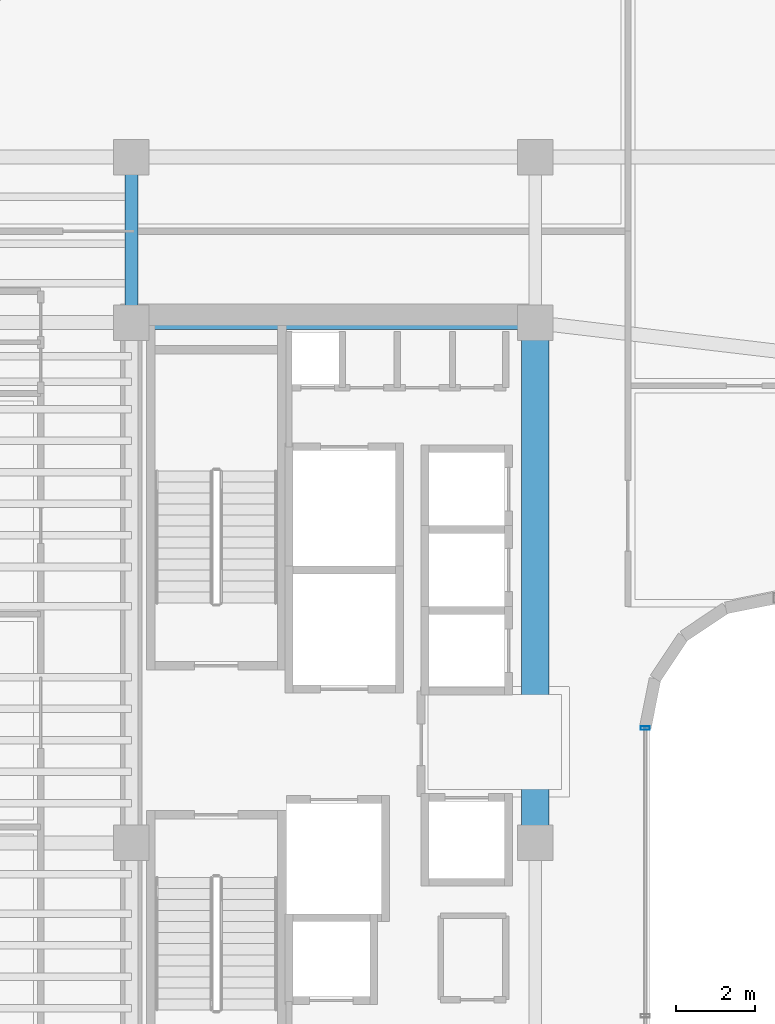
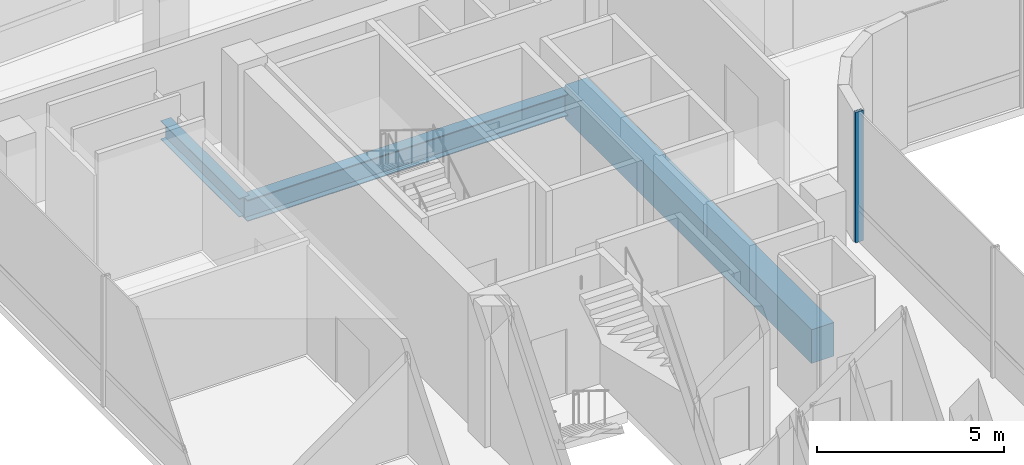
# One storey, part 7 of 17: 3 beams, 1 member, 1 element without a shape of its own.
"""IFC4 building model written with IfcOpenShell, lengths in metres."""

from ifc_helpers import new_model, si_unit, direction, frame, origin, origin_2d, place, context, subcontext, project, spatial, rectangle, hollow_rectangle, i_section, extrude, source, transform, mapped, material, material_profile, profile_set, type_object, element, aggregate, save


model = new_model("IFC4")

# Units and contexts
model_context = context("Model", 3, precision=1e-05, world=origin(), true_north=direction((0.0, 1.0)))
body_context = subcontext(model_context, "Body", "Model", "MODEL_VIEW")
ifc_project = project(units=[si_unit("LENGTHUNIT", "METRE"), si_unit("AREAUNIT", "SQUARE_METRE"), si_unit("VOLUMEUNIT", "CUBIC_METRE"), si_unit("PLANEANGLEUNIT", "RADIAN"), si_unit("MASSUNIT", "GRAM", prefix="KILO")], contexts=[model_context])

# Site, building, storey
site_placement = place(None, origin())
site = spatial("IfcSite", under=ifc_project, at=site_placement, CompositionType="ELEMENT")
building_placement = place(site_placement, origin())
building = spatial("IfcBuilding", under=site, at=building_placement, Name="Valdorenza Pilgrim Sanctuary Tower", CompositionType="ELEMENT")
storey_placement = place(building_placement, frame((0.0, 0.0, 201.0)))
storey = spatial("IfcBuildingStorey", under=building, at=storey_placement, Name="L51", CompositionType="ELEMENT", Elevation=201.0)

# Beams
ifc_material_1 = material(Name="Concrete C50/60", Category="concrete")
ifc_material_profile_1 = material_profile(ifc_material_1, rectangle(XDim=0.699951171875, YDim=1.10009765625, at=origin_2d()), Name="RC 1100x700")
ifc_profile_set_1 = profile_set([ifc_material_profile_1], Name="Concrete C50/60")
beam_type_1 = type_object("IfcBeamType", Name="STR-BM-LNT-1100", PredefinedType="LINTEL", material=ifc_profile_set_1)
shared_shape_1 = source(origin(), body_context, "Body", "SweptSolid", [
    extrude(rectangle(XDim=0.699951171875, YDim=1.10009765625, at=origin_2d()), origin(), (0.0, 0.0, 1.0), 13.2001953125),
])
beam_1_placement = place(storey_placement, frame((-12.39990234375, -2.60009765625, -0.590087890625), z_axis=(0.0, 1.0, 0.0), x_axis=(-1.0, 0.0, 0.0)))
element("IfcBeam", 1, at=beam_1_placement, inside=storey, type_object=beam_type_1, Name="L51 Core A Coupling Lintel Girder", PredefinedType="LINTEL", context=body_context, shape_type="MappedRepresentation", body=[
    mapped(shared_shape_1, transform((0.0, 0.0, 0.0), x_axis=(1.0, 0.0, 0.0), y_axis=(0.0, 1.0, 0.0), z_axis=(0.0, 0.0, 1.0), scale=1.0)),
])
ifc_material_2 = material(Name="Steel ASTM A992 Grade 50", Category="steel")
ifc_material_profile_2 = material_profile(ifc_material_2, i_section(OverallWidth=0.323974609375, OverallDepth=0.611083984375, WebThickness=0.0126953125, FlangeThickness=0.01904296875, at=origin_2d()), Name="W24X104")
ifc_profile_set_2 = profile_set([ifc_material_profile_2], Name="Steel ASTM A992 Grade 50")
beam_type_2 = type_object("IfcBeamType", Name="STR-BM-GRD-W24B", PredefinedType="BEAM", material=ifc_profile_set_2)
shared_shape_2 = source(origin(), body_context, "Body", "SweptSolid", [
    extrude(i_section(OverallWidth=0.323974609375, OverallDepth=0.611083984375, WebThickness=0.0126953125, FlangeThickness=0.01904296875, at=origin_2d()), origin(), (0.0, 0.0, 1.0), 4.199951171875),
])
beam_2_placement = place(storey_placement, frame((-22.64990234375, 10.60009765625, -0.54541015625), z_axis=(0.0, 1.0, 0.0), x_axis=(-1.0, 0.0, 0.0)))
element("IfcBeam", 2, at=beam_2_placement, inside=storey, type_object=beam_type_2, Name="L51 Core Tie Girder CA-W-N1N2", PredefinedType="BEAM", context=body_context, shape_type="MappedRepresentation", body=[
    mapped(shared_shape_2, transform((0.0, 0.0, 0.0), x_axis=(1.0, 0.0, 0.0), y_axis=(0.0, 1.0, 0.0), z_axis=(0.0, 0.0, 1.0), scale=1.0)),
])
ifc_material_profile_3 = material_profile(ifc_material_2, i_section(OverallWidth=0.35595703125, OverallDepth=0.700927734375, WebThickness=0.016845703125, FlangeThickness=0.02734375, at=origin_2d()), Name="W27X161")
ifc_profile_set_3 = profile_set([ifc_material_profile_3], Name="Steel ASTM A992 Grade 50")
beam_type_3 = type_object("IfcBeamType", Name="STR-BM-GRD-W27", PredefinedType="BEAM", material=ifc_profile_set_3)
shared_shape_3 = source(origin(), body_context, "Body", "SweptSolid", [
    extrude(i_section(OverallWidth=0.35595703125, OverallDepth=0.700927734375, WebThickness=0.016845703125, FlangeThickness=0.02734375, at=origin_2d()), origin(), (0.0, 0.0, 1.0), 10.25),
])
beam_3_placement = place(storey_placement, frame((-22.64990234375, 10.60009765625, -0.590576171875), z_axis=(1.0, 0.0, 0.0), x_axis=(0.0, 1.0, 0.0)))
element("IfcBeam", 3, at=beam_3_placement, inside=storey, type_object=beam_type_3, Name="L51 Floor Girder CA-XC-N1", PredefinedType="BEAM", context=body_context, shape_type="MappedRepresentation", body=[
    mapped(shared_shape_3, transform((0.0, 0.0, 0.0), x_axis=(1.0, 0.0, 0.0), y_axis=(0.0, 1.0, 0.0), z_axis=(0.0, 0.0, 1.0), scale=1.0)),
])

# Curtain wall, member
ifc_material_3 = material(Name="Curtain-wall IGU glazing", Category="glass")
curtain_wall_type = type_object("IfcCurtainWallType", Name="CW-SYS-04", PredefinedType="NOTDEFINED", material=ifc_material_3)
curtain_wall_placement = place(storey_placement, origin())
curtain_wall = element("IfcCurtainWall", 4, at=curtain_wall_placement, inside=storey, type_object=curtain_wall_type, Name="L51 Curtain Wall CW-L51-1-21", PredefinedType="NOTDEFINED")
ifc_material_4 = material(Name="Anodised aluminium AW-6060", Category="aluminium")
ifc_material_profile_4 = material_profile(ifc_material_4, hollow_rectangle(XDim=0.090087890625, YDim=0.239990234375, WallThickness=0.0048828125, at=origin_2d()), Name="ALU-M 240x90x5")
ifc_profile_set_4 = profile_set([ifc_material_profile_4], Name="Anodised aluminium AW-6060")
member_type = type_object("IfcMemberType", Name="CW-MUL-04", PredefinedType="MULLION", material=ifc_profile_set_4)
shared_shape_4 = source(origin(), body_context, "Body", "SweptSolid", [
    extrude(hollow_rectangle(XDim=0.090087890625, YDim=0.239990234375, WallThickness=0.0048828125, at=origin_2d()), origin(), (0.0, 0.0, 1.0), 4.260009765625),
])
member_placement = place(storey_placement, frame((-9.610107421875, 0.310791015625, 0.0), z_axis=(0.0, 0.0, 1.0), x_axis=(0.0, -1.0, 0.0)))
member = element("IfcMember", 5, at=member_placement, type_object=member_type, Name="CW-L51-1-21 Mullion 1", PredefinedType="MULLION", context=body_context, shape_type="MappedRepresentation", body=[
    mapped(shared_shape_4, transform((0.0, 0.0, 0.0), x_axis=(1.0, 0.0, 0.0), y_axis=(0.0, 1.0, 0.0), z_axis=(0.0, 0.0, 1.0), scale=1.0)),
])
aggregate(curtain_wall, [member])

save(model, "model.ifc")
